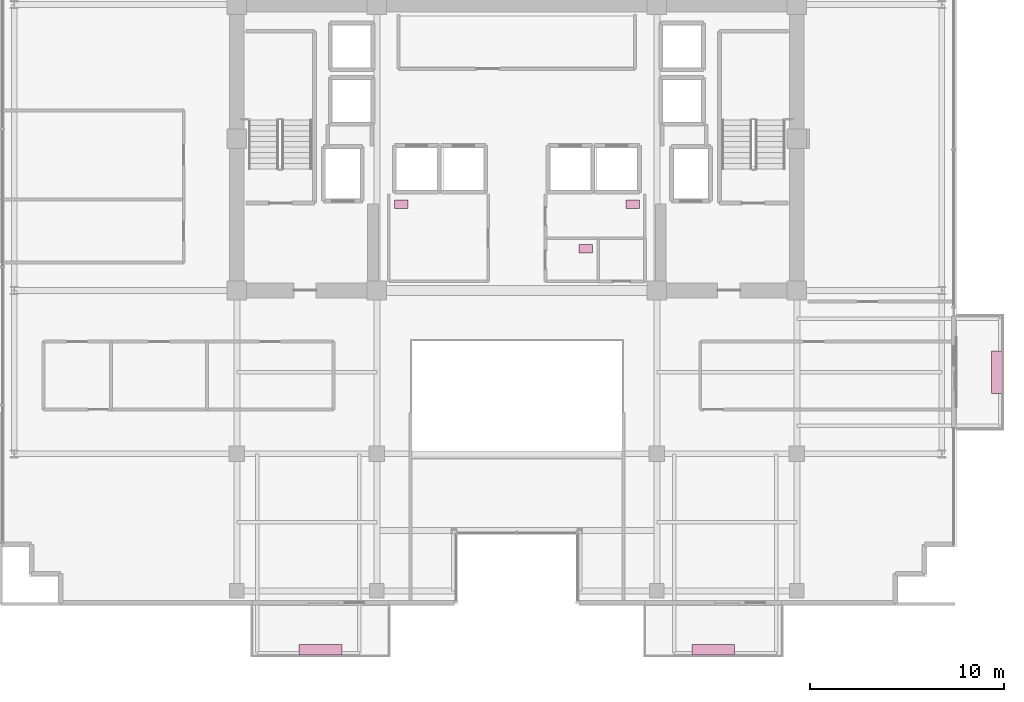
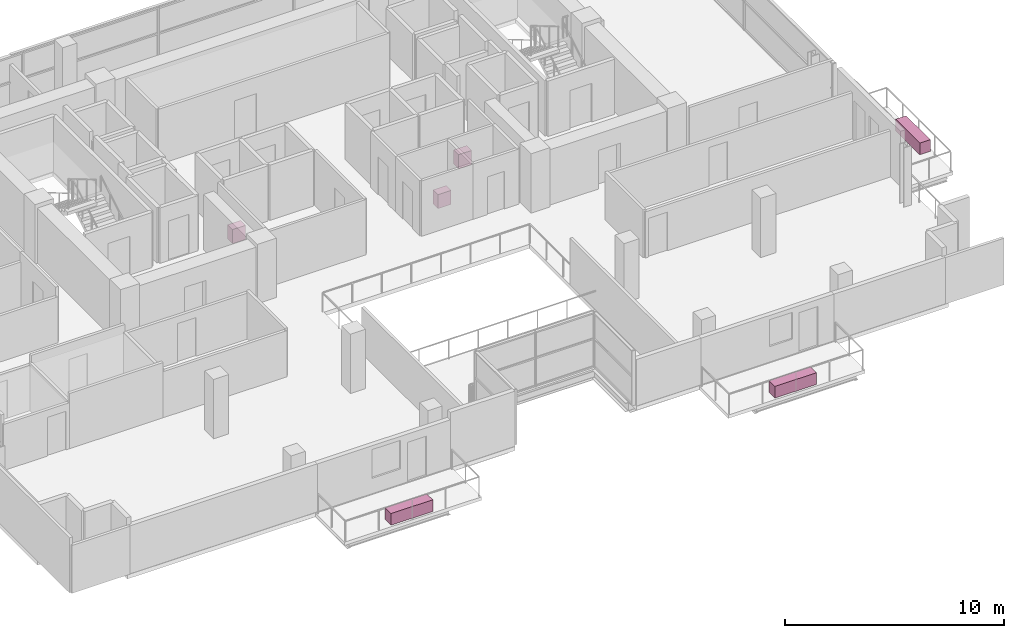
# One storey, part 25 of 25: 6 furnishings.
"""IFC4 building model written with IfcOpenShell, lengths in metres."""

from ifc_helpers import new_model, si_unit, direction, frame, origin, origin_2d, place, context, subcontext, project, spatial, rectangle, extrude, source, transform, mapped, material, type_object, element, save


model = new_model("IFC4")

# Units and contexts
model_context = context("Model", 3, precision=1e-05, world=origin(), true_north=direction((0.0, 1.0)))
body_context = subcontext(model_context, "Body", "Model", "MODEL_VIEW")
ifc_project = project(units=[si_unit("LENGTHUNIT", "METRE"), si_unit("AREAUNIT", "SQUARE_METRE"), si_unit("VOLUMEUNIT", "CUBIC_METRE"), si_unit("PLANEANGLEUNIT", "RADIAN"), si_unit("MASSUNIT", "GRAM", prefix="KILO")], contexts=[model_context])

# Site, building, storey
site_placement = place(None, origin())
site = spatial("IfcSite", under=ifc_project, at=site_placement, CompositionType="ELEMENT")
building_placement = place(site_placement, origin())
building = spatial("IfcBuilding", under=site, at=building_placement, Name="Zarnakvel Exchange Tower", CompositionType="ELEMENT")
storey_placement = place(building_placement, frame((0.0, 0.0, 169.300048828125)))
storey = spatial("IfcBuildingStorey", under=building, at=storey_placement, Name="L47", CompositionType="ELEMENT", Elevation=169.300048828125)

# Furnishings
ifc_material_1 = material(Name="Architectural Bronze Anodised Aluminium", Category="aluminium")
furnishing_element_type_1 = type_object("IfcFurnishingElementType", Name="PLNT-01", material=ifc_material_1)
shared_shape_1 = source(origin(), body_context, "Body", "SweptSolid", [
    extrude(rectangle(XDim=2.199951171875, YDim=0.550048828125, at=origin_2d()), origin(), (0.0, 0.0, 1.0), 0.64990234375),
])
for number, where, z_axis, x_axis, name in (
    (1, (-10.10009765625, -19.669921875, -0.034912109375), (0.0, 0.0, 1.0), (1.0, 0.0, 0.0), "L47 Balcony Greenery Planter BAL-L47-SW"),
    (2, (10.10009765625, -19.669921875, -0.034912109375), (0.0, 0.0, 1.0), (1.0, 0.0, 0.0), "L47 Balcony Greenery Planter BAL-L47-SE"),
    (3, (24.669921875, -5.39990234375, -0.034912109375), (0.0, 0.0, 1.0), (0.0, 1.0, 0.0), "L47 Balcony Greenery Planter BAL-L47-E"),
):
    element("IfcFurnishingElement", number, at=place(storey_placement, frame(where, z_axis=z_axis, x_axis=x_axis)), inside=storey, type_object=furnishing_element_type_1, Name=name, ObjectType="PLANTER", context=body_context, shape_type="MappedRepresentation", body=[
        mapped(shared_shape_1, transform((0.0, 0.0, 0.0), x_axis=(1.0, 0.0, 0.0), y_axis=(0.0, 1.0, 0.0), z_axis=(0.0, 0.0, 1.0), scale=1.0)),
    ])
ifc_material_2 = material(Name="Vitreous China Sanitaryware", Category="ceramic")
furnishing_element_type_2 = type_object("IfcFurnishingElementType", Name="SAN-WC", material=ifc_material_2)
shared_shape_2 = source(origin(), body_context, "Body", "SweptSolid", [
    extrude(rectangle(XDim=0.699951171875, YDim=0.449951171875, at=origin_2d()), origin(), (0.0, 0.0, 1.0), 0.780029296875),
])
for number, where, z_axis, x_axis, name in (
    (4, (-5.949951171875, 3.22998046875, 0.0), (0.0, 0.0, 1.0), (1.0, 0.0, 0.0), "L47 Sanitary Fixture (Male Toilet)"),
    (5, (5.949951171875, 3.22998046875, 0.0), (0.0, 0.0, 1.0), (1.0, 0.0, 0.0), "L47 Sanitary Fixture (Female Toilet)"),
    (6, (3.550048828125, 0.949951171875, 0.0), (0.0, 0.0, 1.0), (1.0, 0.0, 0.0), "L47 Sanitary Fixture (Accessible Toilet)"),
):
    element("IfcFurnishingElement", number, at=place(storey_placement, frame(where, z_axis=z_axis, x_axis=x_axis)), inside=storey, type_object=furnishing_element_type_2, Name=name, ObjectType="SANITARY_FIXTURE", context=body_context, shape_type="MappedRepresentation", body=[
        mapped(shared_shape_2, transform((0.0, 0.0, 0.0), x_axis=(1.0, 0.0, 0.0), y_axis=(0.0, 1.0, 0.0), z_axis=(0.0, 0.0, 1.0), scale=1.0)),
    ])

save(model, "model.ifc")
